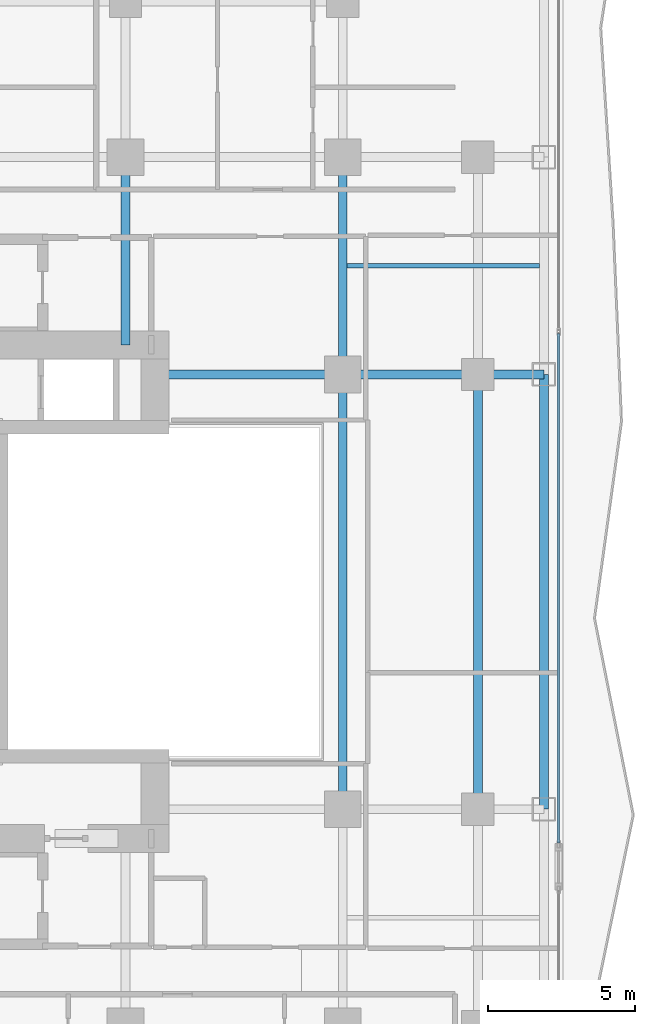
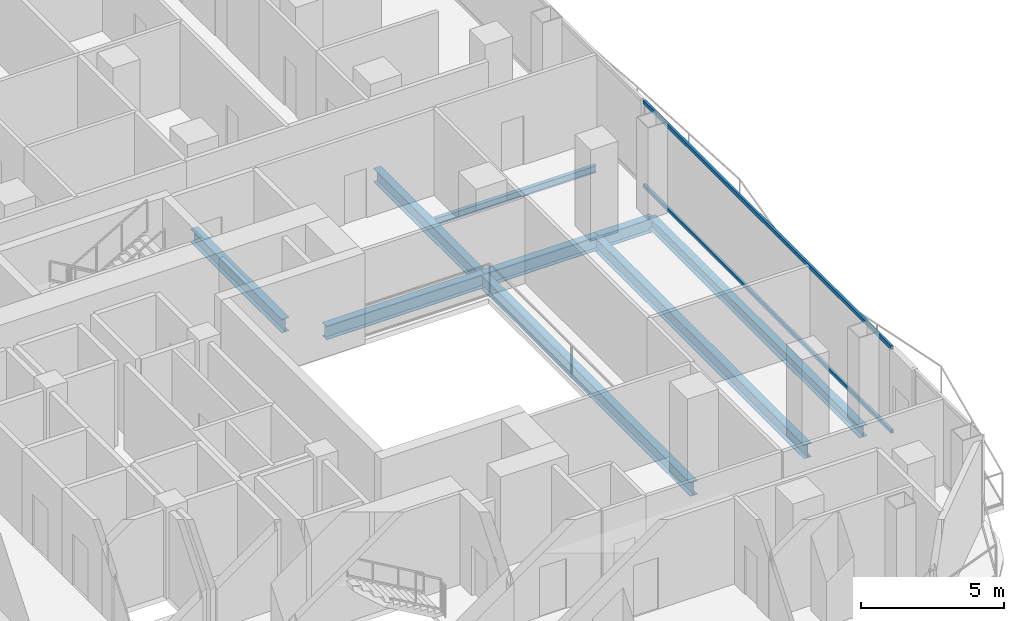
# One storey, part 10 of 28: 9 beams, 2 members, 1 element without a shape of its own.
"""IFC4 building model written with IfcOpenShell, lengths in metres."""

from ifc_helpers import new_model, si_unit, direction, frame, origin, origin_2d, place, context, subcontext, project, spatial, hollow_rectangle, i_section, extrude, material, layer, layer_set, material_profile, profile_set, type_object, element, aggregate, save


model = new_model("IFC4")

# Units and contexts
model_context = context("Model", 3, precision=1e-05, world=origin(), true_north=direction((0.0, 1.0)))
body_context = subcontext(model_context, "Body", "Model", "MODEL_VIEW")
ifc_project = project(units=[si_unit("LENGTHUNIT", "METRE"), si_unit("AREAUNIT", "SQUARE_METRE"), si_unit("VOLUMEUNIT", "CUBIC_METRE"), si_unit("PLANEANGLEUNIT", "RADIAN"), si_unit("MASSUNIT", "GRAM", prefix="KILO")], contexts=[model_context])

# Site, building, storey
site_placement = place(None, origin())
site = spatial("IfcSite", under=ifc_project, at=site_placement, CompositionType="ELEMENT")
building_placement = place(site_placement, origin())
building = spatial("IfcBuilding", under=site, at=building_placement, Name="Khorvyn Point Tower", CompositionType="ELEMENT")
storey_placement = place(building_placement, frame((0.0, 0.0, 100.800048828125)))
storey = spatial("IfcBuildingStorey", under=building, at=storey_placement, Name="L25", CompositionType="ELEMENT", Elevation=100.800048828125)

# Curtain wall, members
ifc_material_1 = material(Name="Anodised aluminium 6063-T6 and laminated Low-E glass", Category="aluminium")
ifc_layer = layer(ifc_material_1, 0.18994140625)
ifc_layer_set = layer_set([ifc_layer], Name="Stick-Built Finned Residential Curtain Wall CW-SYS-02")
curtain_wall_type = type_object("IfcCurtainWallType", Name="Stick-Built Finned Residential Curtain Wall CW-SYS-02", PredefinedType="NOTDEFINED", material=ifc_layer_set)
curtain_wall_placement = place(storey_placement, origin())
curtain_wall = element("IfcCurtainWall", 1, at=curtain_wall_placement, inside=storey, type_object=curtain_wall_type, Name="Curtain Wall", PredefinedType="NOTDEFINED")
ifc_material_2 = material(Name="Anodised aluminium 6063-T6", Category="aluminium")
ifc_material_profile_1 = material_profile(ifc_material_2, hollow_rectangle(XDim=0.10009765625, YDim=0.159912109375, WallThickness=0.00439453125, at=origin_2d()))
ifc_profile_set_1 = profile_set([ifc_material_profile_1], Name="Anodised aluminium 6063-T6 ALU-TRN-100x160")
member_type = type_object("IfcMemberType", Name="Anodised Aluminium 6063-T6 Transom ALU-TRN-100x160", PredefinedType="USERDEFINED", material=ifc_profile_set_1)
member_1_placement = place(storey_placement, frame((22.14990234375, 8.801513671875, 0.050048828125), z_axis=(0.0, -1.0, 0.0), x_axis=(1.0, 0.0, 0.0)))
member_1 = element("IfcMember", 2, at=member_1_placement, type_object=member_type, Name="Transom", ObjectType="TRANSOM", PredefinedType="USERDEFINED", context=body_context, shape_type="SweptSolid", body=[
    extrude(hollow_rectangle(XDim=0.10009765625, YDim=0.159912109375, WallThickness=0.00439453125, at=origin_2d()), origin(), (0.0, 0.0, 1.0), 17.3486328125),
])
member_2_placement = place(storey_placement, frame((22.14990234375, 8.801513671875, 3.6298828125), z_axis=(0.0, -1.0, 0.0), x_axis=(1.0, 0.0, 0.0)))
member_2 = element("IfcMember", 3, at=member_2_placement, type_object=member_type, Name="Transom", ObjectType="TRANSOM", PredefinedType="USERDEFINED", context=body_context, shape_type="SweptSolid", body=[
    extrude(hollow_rectangle(XDim=0.10009765625, YDim=0.159912109375, WallThickness=0.00439453125, at=origin_2d()), origin(), (0.0, 0.0, 1.0), 17.3486328125),
])
aggregate(curtain_wall, [member_1, member_2])

# Beams
ifc_material_3 = material(Name="Steel S355", Category="steel")
ifc_material_profile_2 = material_profile(ifc_material_3, i_section(OverallWidth=0.300048828125, OverallDepth=0.587890625, WebThickness=0.011962890625, FlangeThickness=0.02001953125, at=origin_2d()))
ifc_profile_set_2 = profile_set([ifc_material_profile_2], Name="Steel S355 H588x300x12x20")
beam_type_1 = type_object("IfcBeamType", Name="Steel S355 Beam H588x300x12x20", PredefinedType="BEAM", material=ifc_profile_set_2)
beam_1_placement = place(storey_placement, frame((8.39990234375, 7.39990234375, -0.51416015625), z_axis=(1.0, 0.0, 0.0), x_axis=(0.0, 1.0, 0.0)))
element("IfcBeam", 4, at=beam_1_placement, inside=storey, type_object=beam_type_1, Name="Beam", PredefinedType="BEAM", context=body_context, shape_type="SweptSolid", body=[
    extrude(i_section(OverallWidth=0.300048828125, OverallDepth=0.587890625, WebThickness=0.011962890625, FlangeThickness=0.02001953125, at=origin_2d()), origin(), (0.0, 0.0, 1.0), 6.400146484375),
])
beam_2_placement = place(storey_placement, frame((14.800048828125, 7.39990234375, -0.51416015625), z_axis=(1.0, 0.0, 0.0), x_axis=(0.0, 1.0, 0.0)))
element("IfcBeam", 5, at=beam_2_placement, inside=storey, type_object=beam_type_1, Name="Beam", PredefinedType="BEAM", context=body_context, shape_type="SweptSolid", body=[
    extrude(i_section(OverallWidth=0.300048828125, OverallDepth=0.587890625, WebThickness=0.011962890625, FlangeThickness=0.02001953125, at=origin_2d()), origin(), (0.0, 0.0, 1.0), 4.599853515625),
])
beam_3_placement = place(storey_placement, frame((19.39990234375, 7.39990234375, -0.51416015625), z_axis=(1.0, 0.0, 0.0), x_axis=(0.0, 1.0, 0.0)))
element("IfcBeam", 6, at=beam_3_placement, inside=storey, type_object=beam_type_1, Name="Beam", PredefinedType="BEAM", context=body_context, shape_type="SweptSolid", body=[
    extrude(i_section(OverallWidth=0.300048828125, OverallDepth=0.587890625, WebThickness=0.011962890625, FlangeThickness=0.02001953125, at=origin_2d()), origin(), (0.0, 0.0, 1.0), 2.25),
])
beam_4_placement = place(storey_placement, frame((14.800048828125, -7.39990234375, -0.51416015625), z_axis=(0.0, 1.0, 0.0), x_axis=(-1.0, 0.0, 0.0)))
element("IfcBeam", 7, at=beam_4_placement, inside=storey, type_object=beam_type_1, Name="Beam", PredefinedType="BEAM", context=body_context, shape_type="SweptSolid", body=[
    extrude(i_section(OverallWidth=0.300048828125, OverallDepth=0.587890625, WebThickness=0.011962890625, FlangeThickness=0.02001953125, at=origin_2d()), origin(), (0.0, 0.0, 1.0), 14.7998046875),
])
beam_5_placement = place(storey_placement, frame((14.800048828125, 7.39990234375, -0.51416015625), z_axis=(0.0, 1.0, 0.0), x_axis=(-1.0, 0.0, 0.0)))
element("IfcBeam", 8, at=beam_5_placement, inside=storey, type_object=beam_type_1, Name="Beam", PredefinedType="BEAM", context=body_context, shape_type="SweptSolid", body=[
    extrude(i_section(OverallWidth=0.300048828125, OverallDepth=0.587890625, WebThickness=0.011962890625, FlangeThickness=0.02001953125, at=origin_2d()), origin(), (0.0, 0.0, 1.0), 7.400146484375),
])
beam_6_placement = place(storey_placement, frame((7.39990234375, 8.39990234375, -0.51416015625), z_axis=(0.0, 1.0, 0.0), x_axis=(-1.0, 0.0, 0.0)))
element("IfcBeam", 9, at=beam_6_placement, inside=storey, type_object=beam_type_1, Name="Beam", PredefinedType="BEAM", context=body_context, shape_type="SweptSolid", body=[
    extrude(i_section(OverallWidth=0.300048828125, OverallDepth=0.587890625, WebThickness=0.011962890625, FlangeThickness=0.02001953125, at=origin_2d()), origin(), (0.0, 0.0, 1.0), 6.400146484375),
])
beam_7_placement = place(storey_placement, frame((19.39990234375, -7.39990234375, -0.51416015625), z_axis=(0.0, 1.0, 0.0), x_axis=(-1.0, 0.0, 0.0)))
element("IfcBeam", 10, at=beam_7_placement, inside=storey, type_object=beam_type_1, Name="Beam", PredefinedType="BEAM", context=body_context, shape_type="SweptSolid", body=[
    extrude(i_section(OverallWidth=0.300048828125, OverallDepth=0.587890625, WebThickness=0.011962890625, FlangeThickness=0.02001953125, at=origin_2d()), origin(), (0.0, 0.0, 1.0), 14.7998046875),
])
ifc_material_profile_3 = material_profile(ifc_material_3, i_section(OverallWidth=0.14990234375, OverallDepth=0.300048828125, WebThickness=0.006591796875, FlangeThickness=0.009033203125, at=origin_2d()))
ifc_profile_set_3 = profile_set([ifc_material_profile_3], Name="Steel S355 H300x150x6.5x9")
beam_type_2 = type_object("IfcBeamType", Name="Steel S355 Joist H300x150x6.5x9", PredefinedType="JOIST", material=ifc_profile_set_3)
beam_8_placement = place(storey_placement, frame((14.949951171875, 11.10009765625, -0.3701171875), z_axis=(1.0, 0.0, 0.0), x_axis=(0.0, 1.0, 0.0)))
element("IfcBeam", 11, at=beam_8_placement, inside=storey, type_object=beam_type_2, Name="Beam", PredefinedType="JOIST", context=body_context, shape_type="SweptSolid", body=[
    extrude(i_section(OverallWidth=0.14990234375, OverallDepth=0.300048828125, WebThickness=0.006591796875, FlangeThickness=0.009033203125, at=origin_2d()), origin(), (0.0, 0.0, 1.0), 6.550048828125),
])
ifc_material_profile_4 = material_profile(ifc_material_3, i_section(OverallWidth=0.300048828125, OverallDepth=0.488037109375, WebThickness=0.010986328125, FlangeThickness=0.01806640625, at=origin_2d()))
ifc_profile_set_4 = profile_set([ifc_material_profile_4], Name="Steel S355 H488x300x11x18")
beam_type_3 = type_object("IfcBeamType", Name="Steel S355 Spandrel H488x300x11x18", PredefinedType="SPANDREL", material=ifc_profile_set_4)
beam_9_placement = place(storey_placement, frame((21.64990234375, -7.39990234375, -0.464111328125), z_axis=(0.0, 1.0, 0.0), x_axis=(-1.0, 0.0, 0.0)))
element("IfcBeam", 12, at=beam_9_placement, inside=storey, type_object=beam_type_3, Name="Beam", PredefinedType="SPANDREL", context=body_context, shape_type="SweptSolid", body=[
    extrude(i_section(OverallWidth=0.300048828125, OverallDepth=0.488037109375, WebThickness=0.010986328125, FlangeThickness=0.01806640625, at=origin_2d()), origin(), (0.0, 0.0, 1.0), 14.7998046875),
])

save(model, "model.ifc")
